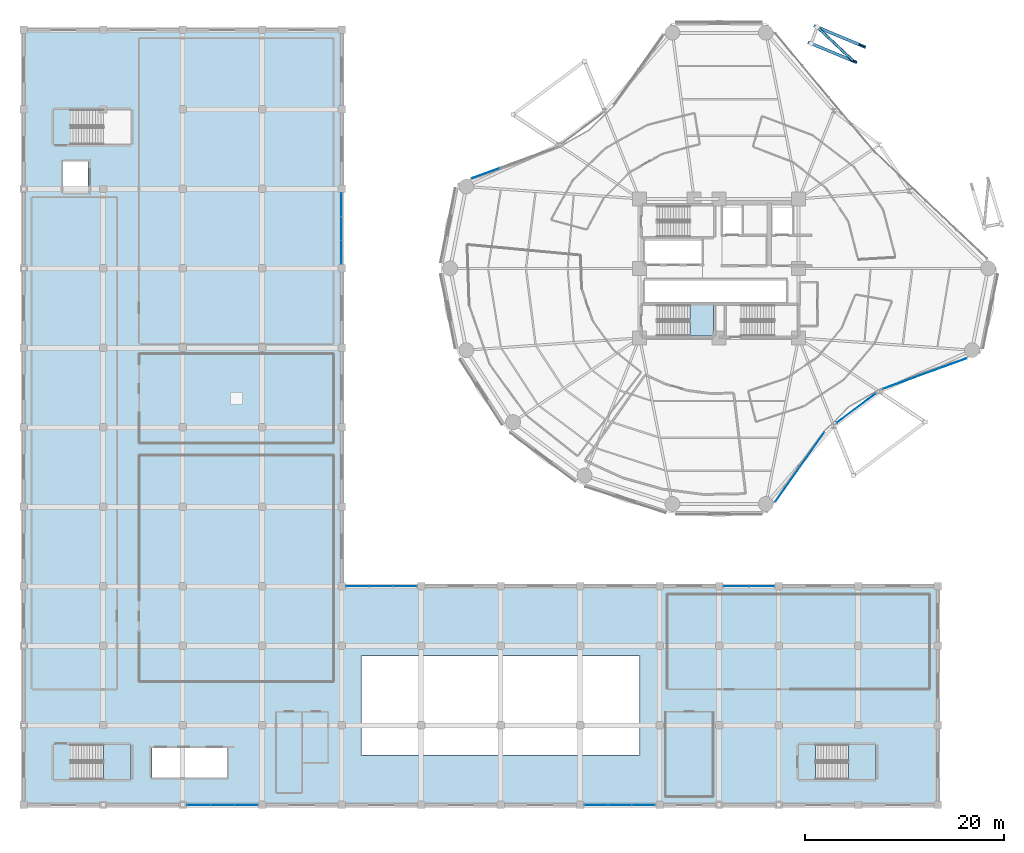
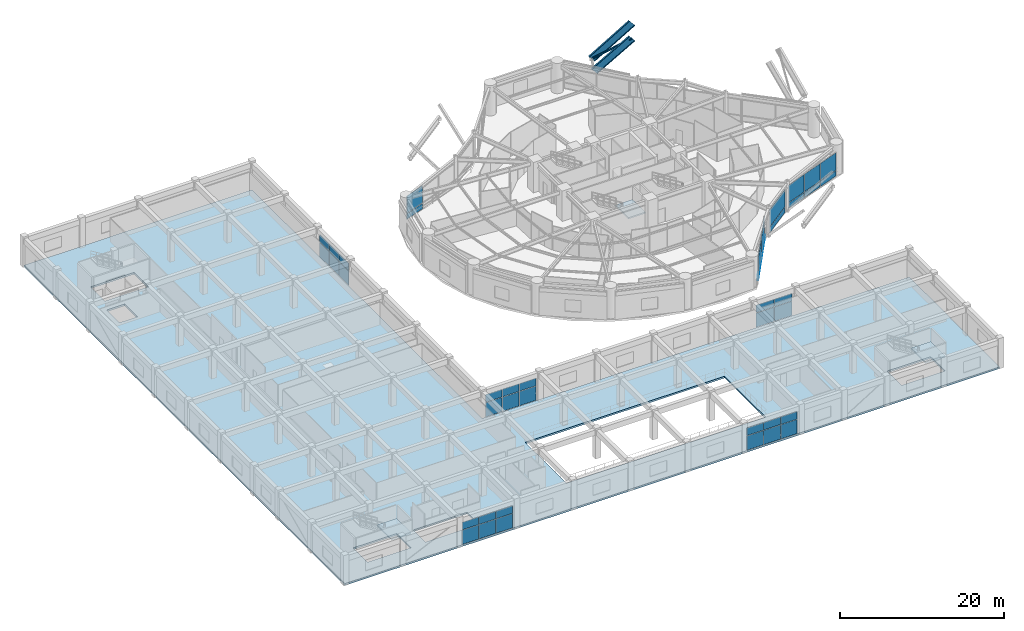
# One storey, part 38 of 55: 42 plates, 4 slabs, 2 beams, 1 member, 12 elements without a shape of their own.
"""IFC4 building model written with IfcOpenShell, lengths in metres."""

from ifc_helpers import new_model, si_unit, direction, frame, origin, origin_2d, place, context, subcontext, project, spatial, polyline, rectangle, hollow_circle, i_section, outline, extrude, source, transform, mapped, material, layer, layer_set, material_profile, profile_set, type_object, element, aggregate, save


model = new_model("IFC4")

# Units and contexts
model_context = context("Model", 3, precision=1e-05, world=origin(), true_north=direction((0.0, 1.0)))
body_context = subcontext(model_context, "Body", "Model", "MODEL_VIEW")
ifc_project = project(units=[si_unit("LENGTHUNIT", "METRE"), si_unit("AREAUNIT", "SQUARE_METRE"), si_unit("VOLUMEUNIT", "CUBIC_METRE"), si_unit("PLANEANGLEUNIT", "RADIAN"), si_unit("MASSUNIT", "GRAM", prefix="KILO")], contexts=[model_context])

# Site, building, storey
site_placement = place(None, origin())
site = spatial("IfcSite", under=ifc_project, at=site_placement, CompositionType="ELEMENT")
building_placement = place(site_placement, origin())
building = spatial("IfcBuilding", under=site, at=building_placement, Name="Kelanora Arch Commons", CompositionType="ELEMENT")
storey_placement = place(building_placement, frame((0.0, 0.0, 4.5)))
storey = spatial("IfcBuildingStorey", under=building, at=storey_placement, Name="L01", CompositionType="ELEMENT", Elevation=4.5)

# Beams
ifc_material_1 = material(Name="Steel S355", Category="steel")
ifc_material_profile_1 = material_profile(ifc_material_1, i_section(OverallWidth=0.302001953125, OverallDepth=1.008056640625, WebThickness=0.02099609375, FlangeThickness=0.0400390625, FilletRadius=0.030029296875, at=origin_2d()), Name="HEM1000")
ifc_profile_set_1 = profile_set([ifc_material_profile_1], Name="Steel S355")
beam_type = type_object("IfcBeamType", Name="BM-ARCH-RIB", PredefinedType="USERDEFINED", material=ifc_profile_set_1)
beam_1_placement = place(storey_placement, frame((87.5400390625, 78.85400390625, 6.35009765625), z_axis=(-0.666991231527, 0.276533201909, -0.691846865504), x_axis=(-0.382986496653, -0.923753940929, 0.0)))
element("IfcBeam", 1, at=beam_1_placement, inside=storey, type_object=beam_type, Name="Parabolic Giant Arch Inner Rib 07", ObjectType="ARCH_RIB", PredefinedType="USERDEFINED", context=body_context, shape_type="SweptSolid", body=[
    extrude(i_section(OverallWidth=0.302001953125, OverallDepth=1.008056640625, WebThickness=0.02099609375, FlangeThickness=0.0400390625, FilletRadius=0.030029296875, at=origin_2d()), origin(), (0.0, 0.0, 1.0), 6.4140625),
])
beam_2_placement = place(storey_placement, frame((88.425048828125, 80.38671875, 7.39990234375), z_axis=(-0.656735503057, 0.274387322505, -0.702431545613), x_axis=(-0.38551010671, -0.922703613098, 0.0)))
element("IfcBeam", 2, at=beam_2_placement, inside=storey, type_object=beam_type, Name="Parabolic Giant Arch Outer Rib 07", ObjectType="ARCH_RIB", PredefinedType="USERDEFINED", context=body_context, shape_type="SweptSolid", body=[
    extrude(i_section(OverallWidth=0.302001953125, OverallDepth=1.008056640625, WebThickness=0.02099609375, FlangeThickness=0.0400390625, FilletRadius=0.030029296875, at=origin_2d()), origin(), (0.0, 0.0, 1.0), 6.940185546875),
])

# Member
ifc_material_profile_2 = material_profile(ifc_material_1, hollow_circle(Radius=0.136474609375, WallThickness=0.012451171875, at=origin_2d()), Name="CHS273x12.5")
ifc_profile_set_2 = profile_set([ifc_material_profile_2], Name="Steel S355")
member_type = type_object("IfcMemberType", Name="MEM-MKT-BRACE", PredefinedType="BRACE", material=ifc_profile_set_2)
member_placement = place(storey_placement, frame((87.5400390625, 78.85400390625, 6.35009765625), z_axis=(-0.581201186899, 0.543881302125, -0.60530844166), x_axis=(-0.683275683066, -0.730160489845, 0.0)))
element("IfcMember", 3, at=member_placement, inside=storey, type_object=member_type, Name="Giant Arch Spatial Diagonal Lacing 07", PredefinedType="BRACE", context=body_context, shape_type="SweptSolid", body=[
    extrude(hollow_circle(Radius=0.136474609375, WallThickness=0.012451171875, at=origin_2d()), origin(), (0.0, 0.0, 1.0), 6.3193359375),
])

# Slab
ifc_material_2 = material(Name="Concrete C40/50", Category="concrete")
ifc_layer_1 = layer(ifc_material_2, 0.260009765625)
ifc_layer_set_1 = layer_set([ifc_layer_1], Name="Concrete C40/50")
slab_type_1 = type_object("IfcSlabType", Name="SLB-MKT-SUSP", PredefinedType="FLOOR", material=ifc_layer_set_1)
slab_1_placement = place(storey_placement, frame((0.0, 0.0, -0.260009765625)))
element("IfcSlab", 4, at=slab_1_placement, inside=storey, type_object=slab_type_1, Name="Market Hall Floor Slab L01", PredefinedType="FLOOR", context=body_context, shape_type="SweptSolid", body=[
    extrude(outline(polyline([(4.0, 4.0), (96.0, 4.0), (96.0, 26.0), (36.0, 26.0), (36.0, 82.0), (4.0, 82.0), (4.0, 4.0)]), holes=[polyline([(24.449951171875, 6.75), (16.89990234375, 6.75), (16.89990234375, 9.699951171875), (24.449951171875, 9.699951171875), (24.449951171875, 6.75)]), polyline([(8.68798828125, 6.568115234375), (8.68798828125, 10.06201171875), (14.7919921875, 10.06201171875), (14.7919921875, 6.568115234375), (8.68798828125, 6.568115234375)]), polyline([(83.68798828125, 6.568115234375), (83.68798828125, 10.06201171875), (89.7919921875, 10.06201171875), (89.7919921875, 6.568115234375), (83.68798828125, 6.568115234375)]), polyline([(66.0, 9.0), (38.0, 9.0), (38.0, 19.0), (66.0, 19.0), (66.0, 9.0)]), polyline([(7.949951171875, 65.64990234375), (7.949951171875, 68.75), (10.449951171875, 68.75), (10.449951171875, 65.64990234375), (7.949951171875, 65.64990234375)]), polyline([(8.68798828125, 70.488037109375), (8.68798828125, 73.98193359375), (14.7919921875, 73.98193359375), (14.7919921875, 70.488037109375), (8.68798828125, 70.488037109375)])]), origin(), (0.0, 0.0, 1.0), 0.260009765625),
])

# Stair, slab
stair_type = type_object("IfcStairType", Name="STR-DL-450", PredefinedType="HALF_TURN_STAIR", material=ifc_material_2)
stair_1_placement = place(storey_placement, origin())
stair_1 = element("IfcStair", 5, at=stair_1_placement, inside=storey, type_object=stair_type, Name="L01 ST-T3", PredefinedType="HALF_TURN_STAIR")
ifc_layer_2 = layer(ifc_material_2, 0.199951171875)
ifc_layer_set_2 = layer_set([ifc_layer_2], Name="Concrete C40/50")
slab_type_2 = type_object("IfcSlabType", Name="SLB-STAIR-LND", PredefinedType="LANDING", material=ifc_layer_set_2)
slab_2_placement = place(storey_placement, frame((0.0, 0.0, 2.050048828125)))
slab_2 = element("IfcSlab", 6, at=slab_2_placement, type_object=slab_type_2, Name="ST-T3 landing 1", PredefinedType="LANDING", context=body_context, shape_type="SweptSolid", body=[
    extrude(outline(polyline([(71.080078125, 51.179931640625), (73.43994140625, 51.179931640625), (73.43994140625, 54.2900390625), (71.080078125, 54.2900390625), (71.080078125, 51.179931640625)])), origin(), (0.0, 0.0, 1.0), 0.199951171875),
])
aggregate(stair_1, [slab_2])

stair_2_placement = place(storey_placement, origin())
stair_2 = element("IfcStair", 7, at=stair_2_placement, inside=storey, type_object=stair_type, Name="L01 ST-M1", PredefinedType="HALF_TURN_STAIR")
slab_3_placement = place(storey_placement, frame((0.0, 0.0, 2.050048828125)))
slab_3 = element("IfcSlab", 8, at=slab_3_placement, type_object=slab_type_2, Name="ST-M1 landing 1", PredefinedType="LANDING", context=body_context, shape_type="SweptSolid", body=[
    extrude(outline(polyline([(12.0400390625, 6.56005859375), (14.800048828125, 6.56005859375), (14.800048828125, 10.070068359375), (12.0400390625, 10.070068359375), (12.0400390625, 6.56005859375)])), origin(), (0.0, 0.0, 1.0), 0.199951171875),
])
aggregate(stair_2, [slab_3])

stair_3_placement = place(storey_placement, origin())
stair_3 = element("IfcStair", 9, at=stair_3_placement, inside=storey, type_object=stair_type, Name="L01 ST-M2", PredefinedType="HALF_TURN_STAIR")
slab_4_placement = place(storey_placement, frame((0.0, 0.0, 2.050048828125)))
slab_4 = element("IfcSlab", 10, at=slab_4_placement, type_object=slab_type_2, Name="ST-M2 landing 1", PredefinedType="LANDING", context=body_context, shape_type="SweptSolid", body=[
    extrude(outline(polyline([(87.0400390625, 6.56005859375), (89.800048828125, 6.56005859375), (89.800048828125, 10.070068359375), (87.0400390625, 10.070068359375), (87.0400390625, 6.56005859375)])), origin(), (0.0, 0.0, 1.0), 0.199951171875),
])
aggregate(stair_3, [slab_4])

# Curtain wall, plates
ifc_material_3 = material(Name="Terracotta ceramic-fritted low-E glass and aluminium", Category="masonry")
ifc_layer_3 = layer(ifc_material_3, 0.2099609375)
ifc_layer_set_3 = layer_set([ifc_layer_3], Name="Terracotta ceramic-fritted low-E glass and aluminium")
curtain_wall_type_1 = type_object("IfcCurtainWallType", Name="CW-SYS-04", PredefinedType="NOTDEFINED", material=ifc_layer_set_3)
curtain_wall_1_placement = place(storey_placement, origin())
curtain_wall_1 = element("IfcCurtainWall", 11, at=curtain_wall_1_placement, inside=storey, type_object=curtain_wall_type_1, Name="Unitised Curtain Wall L01-B15", PredefinedType="NOTDEFINED")
ifc_material_4 = material(Name="Clear laminated solar-control double glazing", Category="glass")
ifc_layer_4 = layer(ifc_material_4, 0.033935546875)
ifc_layer_set_4 = layer_set([ifc_layer_4], Name="Clear laminated solar-control double glazing")
plate_type = type_object("IfcPlateType", Name="CWP-CLR", PredefinedType="CURTAIN_PANEL", material=ifc_layer_set_4)
shared_shape_1 = source(origin(), body_context, "Body", "SweptSolid", [
    extrude(rectangle(XDim=4.849609375, YDim=0.033935546875, at=origin_2d()), origin(), (0.0, 0.0, 1.0), 0.81005859375),
])
plate_1_placement = place(storey_placement, frame((87.79541015625, 43.930419921875, 0.06005859375), z_axis=(0.0, 0.0, 1.0), x_axis=(0.80030897426, 0.599587813185, 0.0)))
plate_1 = element("IfcPlate", 12, at=plate_1_placement, type_object=plate_type, Name="CW-04 panel 1.1", PredefinedType="CURTAIN_PANEL", context=body_context, shape_type="MappedRepresentation", body=[
    mapped(shared_shape_1, transform((0.0, 0.0, 0.0), scale=1.0)),
])
shared_shape_2 = source(origin(), body_context, "Body", "SweptSolid", [
    extrude(rectangle(XDim=4.849609375, YDim=0.033935546875, at=origin_2d()), origin(), (0.0, 0.0, 1.0), 2.590087890625),
])
plate_2_placement = place(storey_placement, frame((87.79541015625, 43.930419921875, 0.93017578125), z_axis=(0.0, 0.0, 1.0), x_axis=(0.80030897426, 0.599587813185, 0.0)))
plate_2 = element("IfcPlate", 13, at=plate_2_placement, type_object=plate_type, Name="CW-04 panel 1.2", PredefinedType="CURTAIN_PANEL", context=body_context, shape_type="MappedRepresentation", body=[
    mapped(shared_shape_2, transform((0.0, 0.0, 0.0), scale=1.0)),
])
aggregate(curtain_wall_1, [plate_1, plate_2])

curtain_wall_2_placement = place(storey_placement, origin())
curtain_wall_2 = element("IfcCurtainWall", 14, at=curtain_wall_2_placement, inside=storey, type_object=curtain_wall_type_1, Name="Unitised Curtain Wall L01-B14", PredefinedType="NOTDEFINED")
shared_shape_3 = source(origin(), body_context, "Body", "SweptSolid", [
    extrude(rectangle(XDim=4.241455078125, YDim=0.033935546875, at=origin_2d()), origin(), (0.0, 0.0, 1.0), 0.81005859375),
])
plate_3_placement = place(storey_placement, frame((80.886474609375, 36.250244140625, 0.06005859375), z_axis=(0.0, 0.0, 1.0), x_axis=(0.576345499922, 0.817206133555, 0.0)))
plate_3 = element("IfcPlate", 15, at=plate_3_placement, type_object=plate_type, Name="CW-04 panel 1.1", PredefinedType="CURTAIN_PANEL", context=body_context, shape_type="MappedRepresentation", body=[
    mapped(shared_shape_3, transform((0.0, 0.0, 0.0), scale=1.0)),
])
plate_4_placement = place(storey_placement, frame((83.365478515625, 39.76513671875, 0.06005859375), z_axis=(0.0, 0.0, 1.0), x_axis=(0.576345499922, 0.817206133555, 0.0)))
plate_4 = element("IfcPlate", 16, at=plate_4_placement, type_object=plate_type, Name="CW-04 panel 2.1", PredefinedType="CURTAIN_PANEL", context=body_context, shape_type="MappedRepresentation", body=[
    mapped(shared_shape_3, transform((0.0, 0.0, 0.0), scale=1.0)),
])
shared_shape_4 = source(origin(), body_context, "Body", "SweptSolid", [
    extrude(rectangle(XDim=4.241455078125, YDim=0.033935546875, at=origin_2d()), origin(), (0.0, 0.0, 1.0), 2.590087890625),
])
plate_5_placement = place(storey_placement, frame((80.886474609375, 36.250244140625, 0.93017578125), z_axis=(0.0, 0.0, 1.0), x_axis=(0.576345499922, 0.817206133555, 0.0)))
plate_5 = element("IfcPlate", 17, at=plate_5_placement, type_object=plate_type, Name="CW-04 panel 1.2", PredefinedType="CURTAIN_PANEL", context=body_context, shape_type="MappedRepresentation", body=[
    mapped(shared_shape_4, transform((0.0, 0.0, 0.0), scale=1.0)),
])
plate_6_placement = place(storey_placement, frame((83.365478515625, 39.76513671875, 0.93017578125), z_axis=(0.0, 0.0, 1.0), x_axis=(0.576345499922, 0.817206133555, 0.0)))
plate_6 = element("IfcPlate", 18, at=plate_6_placement, type_object=plate_type, Name="CW-04 panel 2.2", PredefinedType="CURTAIN_PANEL", context=body_context, shape_type="MappedRepresentation", body=[
    mapped(shared_shape_4, transform((0.0, 0.0, 0.0), scale=1.0)),
])
aggregate(curtain_wall_2, [plate_3, plate_5, plate_4, plate_6])

# Curtain wall, plate
curtain_wall_3_placement = place(storey_placement, origin())
curtain_wall_3 = element("IfcCurtainWall", 19, at=curtain_wall_3_placement, inside=storey, type_object=curtain_wall_type_1, Name="Unitised Curtain Wall L01-B07", PredefinedType="NOTDEFINED")
shared_shape_5 = source(origin(), body_context, "Body", "SweptSolid", [
    extrude(rectangle(XDim=2.9296875, YDim=0.033935546875, at=origin_2d()), origin(), (0.0, 0.0, 1.0), 0.81005859375),
])
plate_7_placement = place(storey_placement, frame((50.4755859375, 67.56591796875, 0.06005859375), z_axis=(0.0, 0.0, 1.0), x_axis=(-0.939584077951, -0.342318215206, 0.0)))
plate_7 = element("IfcPlate", 20, at=plate_7_placement, type_object=plate_type, Name="CW-04 panel 3.1", PredefinedType="CURTAIN_PANEL", context=body_context, shape_type="MappedRepresentation", body=[
    mapped(shared_shape_5, transform((0.0, 0.0, 0.0), scale=1.0)),
])

# Curtain wall, plates
curtain_wall_4_placement = place(storey_placement, origin())
curtain_wall_4 = element("IfcCurtainWall", 21, at=curtain_wall_4_placement, inside=storey, type_object=curtain_wall_type_1, Name="Unitised Curtain Wall L01-B16", PredefinedType="NOTDEFINED")
plate_8_placement = place(storey_placement, frame((91.8779296875, 46.376953125, 0.06005859375), z_axis=(0.0, 0.0, 1.0), x_axis=(0.939584077951, 0.342318215206, 0.0)))
plate_8 = element("IfcPlate", 22, at=plate_8_placement, type_object=plate_type, Name="CW-04 panel 1.1", PredefinedType="CURTAIN_PANEL", context=body_context, shape_type="MappedRepresentation", body=[
    mapped(shared_shape_5, transform((0.0, 0.0, 0.0), scale=1.0)),
])
plate_9_placement = place(storey_placement, frame((97.5244140625, 48.43408203125, 0.06005859375), z_axis=(0.0, 0.0, 1.0), x_axis=(0.939584077951, 0.342318215206, 0.0)))
plate_9 = element("IfcPlate", 23, at=plate_9_placement, type_object=plate_type, Name="CW-04 panel 3.1", PredefinedType="CURTAIN_PANEL", context=body_context, shape_type="MappedRepresentation", body=[
    mapped(shared_shape_5, transform((0.0, 0.0, 0.0), scale=1.0)),
])

# Plate
shared_shape_6 = source(origin(), body_context, "Body", "SweptSolid", [
    extrude(rectangle(XDim=2.9296875, YDim=0.033935546875, at=origin_2d()), origin(), (0.0, 0.0, 1.0), 2.590087890625),
])
plate_10_placement = place(storey_placement, frame((50.4755859375, 67.56591796875, 0.93017578125), z_axis=(0.0, 0.0, 1.0), x_axis=(-0.939584077951, -0.342318215206, 0.0)))
plate_10 = element("IfcPlate", 24, at=plate_10_placement, type_object=plate_type, Name="CW-04 panel 3.2", PredefinedType="CURTAIN_PANEL", context=body_context, shape_type="MappedRepresentation", body=[
    mapped(shared_shape_6, transform((0.0, 0.0, 0.0), scale=1.0)),
])

aggregate(curtain_wall_3, [plate_7, plate_10])

plate_11_placement = place(storey_placement, frame((91.8779296875, 46.376953125, 0.93017578125), z_axis=(0.0, 0.0, 1.0), x_axis=(0.939584077951, 0.342318215206, 0.0)))
plate_11 = element("IfcPlate", 25, at=plate_11_placement, type_object=plate_type, Name="CW-04 panel 1.2", PredefinedType="CURTAIN_PANEL", context=body_context, shape_type="MappedRepresentation", body=[
    mapped(shared_shape_6, transform((0.0, 0.0, 0.0), scale=1.0)),
])

plate_12_placement = place(storey_placement, frame((97.5244140625, 48.43408203125, 0.93017578125), z_axis=(0.0, 0.0, 1.0), x_axis=(0.939584077951, 0.342318215206, 0.0)))
plate_12 = element("IfcPlate", 26, at=plate_12_placement, type_object=plate_type, Name="CW-04 panel 3.2", PredefinedType="CURTAIN_PANEL", context=body_context, shape_type="MappedRepresentation", body=[
    mapped(shared_shape_6, transform((0.0, 0.0, 0.0), scale=1.0)),
])

shared_shape_7 = source(origin(), body_context, "Body", "SweptSolid", [
    extrude(rectangle(XDim=2.959716796875, YDim=0.033935546875, at=origin_2d()), origin(), (0.0, 0.0, 1.0), 0.81005859375),
])
plate_13_placement = place(storey_placement, frame((94.701171875, 47.405517578125, 0.06005859375), z_axis=(0.0, 0.0, 1.0), x_axis=(0.939584077951, 0.342318215206, 0.0)))
plate_13 = element("IfcPlate", 27, at=plate_13_placement, type_object=plate_type, Name="CW-04 panel 2.1", PredefinedType="CURTAIN_PANEL", context=body_context, shape_type="MappedRepresentation", body=[
    mapped(shared_shape_7, transform((0.0, 0.0, 0.0), scale=1.0)),
])

shared_shape_8 = source(origin(), body_context, "Body", "SweptSolid", [
    extrude(rectangle(XDim=2.959716796875, YDim=0.033935546875, at=origin_2d()), origin(), (0.0, 0.0, 1.0), 2.590087890625),
])
plate_14_placement = place(storey_placement, frame((94.701171875, 47.405517578125, 0.93017578125), z_axis=(0.0, 0.0, 1.0), x_axis=(0.939584077951, 0.342318215206, 0.0)))
plate_14 = element("IfcPlate", 28, at=plate_14_placement, type_object=plate_type, Name="CW-04 panel 2.2", PredefinedType="CURTAIN_PANEL", context=body_context, shape_type="MappedRepresentation", body=[
    mapped(shared_shape_8, transform((0.0, 0.0, 0.0), scale=1.0)),
])

aggregate(curtain_wall_4, [plate_8, plate_11, plate_13, plate_14, plate_9, plate_12])

# Curtain wall, plates
ifc_layer_5 = layer(ifc_material_3, 0.16796875)
ifc_layer_set_5 = layer_set([ifc_layer_5], Name="Terracotta ceramic-fritted low-E glass and aluminium")
curtain_wall_type_2 = type_object("IfcCurtainWallType", Name="CW-SYS-07", PredefinedType="NOTDEFINED", material=ifc_layer_set_5)
curtain_wall_5_placement = place(storey_placement, origin())
curtain_wall_5 = element("IfcCurtainWall", 29, at=curtain_wall_5_placement, inside=storey, type_object=curtain_wall_type_2, Name="Market Hall Arcade Curtain Wall L01-02", PredefinedType="NOTDEFINED")
shared_shape_9 = source(origin(), body_context, "Body", "SweptSolid", [
    extrude(rectangle(XDim=2.31005859375, YDim=0.033935546875, at=origin_2d()), origin(), (0.0, 0.0, 1.0), 2.110107421875),
])
plate_15_placement = place(storey_placement, frame((21.614990234375, 4.0, 0.06005859375), z_axis=(0.0, 0.0, 1.0), x_axis=(1.0, 0.0, 0.0)))
plate_15 = element("IfcPlate", 30, at=plate_15_placement, type_object=plate_type, Name="CW-07 panel 1.1", PredefinedType="CURTAIN_PANEL", context=body_context, shape_type="MappedRepresentation", body=[
    mapped(shared_shape_9, transform((0.0, 0.0, 0.0), scale=1.0)),
])
plate_16_placement = place(storey_placement, frame((26.385009765625, 4.0, 0.06005859375), z_axis=(0.0, 0.0, 1.0), x_axis=(1.0, 0.0, 0.0)))
plate_16 = element("IfcPlate", 31, at=plate_16_placement, type_object=plate_type, Name="CW-07 panel 3.1", PredefinedType="CURTAIN_PANEL", context=body_context, shape_type="MappedRepresentation", body=[
    mapped(shared_shape_9, transform((0.0, 0.0, 0.0), scale=1.0)),
])

curtain_wall_6_placement = place(storey_placement, origin())
curtain_wall_6 = element("IfcCurtainWall", 32, at=curtain_wall_6_placement, inside=storey, type_object=curtain_wall_type_2, Name="Market Hall Arcade Curtain Wall L01-07", PredefinedType="NOTDEFINED")
plate_17_placement = place(storey_placement, frame((61.614990234375, 4.0, 0.06005859375), z_axis=(0.0, 0.0, 1.0), x_axis=(1.0, 0.0, 0.0)))
plate_17 = element("IfcPlate", 33, at=plate_17_placement, type_object=plate_type, Name="CW-07 panel 1.1", PredefinedType="CURTAIN_PANEL", context=body_context, shape_type="MappedRepresentation", body=[
    mapped(shared_shape_9, transform((0.0, 0.0, 0.0), scale=1.0)),
])
plate_18_placement = place(storey_placement, frame((66.385009765625, 4.0, 0.06005859375), z_axis=(0.0, 0.0, 1.0), x_axis=(1.0, 0.0, 0.0)))
plate_18 = element("IfcPlate", 34, at=plate_18_placement, type_object=plate_type, Name="CW-07 panel 3.1", PredefinedType="CURTAIN_PANEL", context=body_context, shape_type="MappedRepresentation", body=[
    mapped(shared_shape_9, transform((0.0, 0.0, 0.0), scale=1.0)),
])

curtain_wall_7_placement = place(storey_placement, origin())
curtain_wall_7 = element("IfcCurtainWall", 35, at=curtain_wall_7_placement, inside=storey, type_object=curtain_wall_type_2, Name="Market Hall Arcade Curtain Wall L01-22", PredefinedType="NOTDEFINED")
plate_19_placement = place(storey_placement, frame((42.385009765625, 26.0, 0.06005859375), z_axis=(0.0, 0.0, 1.0), x_axis=(-1.0, 0.0, 0.0)))
plate_19 = element("IfcPlate", 36, at=plate_19_placement, type_object=plate_type, Name="CW-07 panel 1.1", PredefinedType="CURTAIN_PANEL", context=body_context, shape_type="MappedRepresentation", body=[
    mapped(shared_shape_9, transform((0.0, 0.0, 0.0), scale=1.0)),
])
plate_20_placement = place(storey_placement, frame((37.614990234375, 26.0, 0.06005859375), z_axis=(0.0, 0.0, 1.0), x_axis=(-1.0, 0.0, 0.0)))
plate_20 = element("IfcPlate", 37, at=plate_20_placement, type_object=plate_type, Name="CW-07 panel 3.1", PredefinedType="CURTAIN_PANEL", context=body_context, shape_type="MappedRepresentation", body=[
    mapped(shared_shape_9, transform((0.0, 0.0, 0.0), scale=1.0)),
])

curtain_wall_8_placement = place(storey_placement, origin())
curtain_wall_8 = element("IfcCurtainWall", 38, at=curtain_wall_8_placement, inside=storey, type_object=curtain_wall_type_2, Name="Market Hall Arcade Curtain Wall L01-27", PredefinedType="NOTDEFINED")
plate_21_placement = place(storey_placement, frame((36.0, 59.614990234375, 0.06005859375), z_axis=(0.0, 0.0, 1.0), x_axis=(0.0, 1.0, 0.0)))
plate_21 = element("IfcPlate", 39, at=plate_21_placement, type_object=plate_type, Name="CW-07 panel 1.1", PredefinedType="CURTAIN_PANEL", context=body_context, shape_type="MappedRepresentation", body=[
    mapped(shared_shape_9, transform((0.0, 0.0, 0.0), scale=1.0)),
])
plate_22_placement = place(storey_placement, frame((36.0, 64.385009765625, 0.06005859375), z_axis=(0.0, 0.0, 1.0), x_axis=(0.0, 1.0, 0.0)))
plate_22 = element("IfcPlate", 40, at=plate_22_placement, type_object=plate_type, Name="CW-07 panel 3.1", PredefinedType="CURTAIN_PANEL", context=body_context, shape_type="MappedRepresentation", body=[
    mapped(shared_shape_9, transform((0.0, 0.0, 0.0), scale=1.0)),
])

# Plate
shared_shape_10 = source(origin(), body_context, "Body", "SweptSolid", [
    extrude(rectangle(XDim=2.31005859375, YDim=0.033935546875, at=origin_2d()), origin(), (0.0, 0.0, 1.0), 1.1298828125),
])
plate_23_placement = place(storey_placement, frame((21.614990234375, 4.0, 2.22998046875), z_axis=(0.0, 0.0, 1.0), x_axis=(1.0, 0.0, 0.0)))
plate_23 = element("IfcPlate", 41, at=plate_23_placement, type_object=plate_type, Name="CW-07 panel 1.2", PredefinedType="CURTAIN_PANEL", context=body_context, shape_type="MappedRepresentation", body=[
    mapped(shared_shape_10, transform((0.0, 0.0, 0.0), scale=1.0)),
])

plate_24_placement = place(storey_placement, frame((26.385009765625, 4.0, 2.22998046875), z_axis=(0.0, 0.0, 1.0), x_axis=(1.0, 0.0, 0.0)))
plate_24 = element("IfcPlate", 42, at=plate_24_placement, type_object=plate_type, Name="CW-07 panel 3.2", PredefinedType="CURTAIN_PANEL", context=body_context, shape_type="MappedRepresentation", body=[
    mapped(shared_shape_10, transform((0.0, 0.0, 0.0), scale=1.0)),
])

plate_25_placement = place(storey_placement, frame((61.614990234375, 4.0, 2.22998046875), z_axis=(0.0, 0.0, 1.0), x_axis=(1.0, 0.0, 0.0)))
plate_25 = element("IfcPlate", 43, at=plate_25_placement, type_object=plate_type, Name="CW-07 panel 1.2", PredefinedType="CURTAIN_PANEL", context=body_context, shape_type="MappedRepresentation", body=[
    mapped(shared_shape_10, transform((0.0, 0.0, 0.0), scale=1.0)),
])

plate_26_placement = place(storey_placement, frame((66.385009765625, 4.0, 2.22998046875), z_axis=(0.0, 0.0, 1.0), x_axis=(1.0, 0.0, 0.0)))
plate_26 = element("IfcPlate", 44, at=plate_26_placement, type_object=plate_type, Name="CW-07 panel 3.2", PredefinedType="CURTAIN_PANEL", context=body_context, shape_type="MappedRepresentation", body=[
    mapped(shared_shape_10, transform((0.0, 0.0, 0.0), scale=1.0)),
])

plate_27_placement = place(storey_placement, frame((42.385009765625, 26.0, 2.22998046875), z_axis=(0.0, 0.0, 1.0), x_axis=(-1.0, 0.0, 0.0)))
plate_27 = element("IfcPlate", 45, at=plate_27_placement, type_object=plate_type, Name="CW-07 panel 1.2", PredefinedType="CURTAIN_PANEL", context=body_context, shape_type="MappedRepresentation", body=[
    mapped(shared_shape_10, transform((0.0, 0.0, 0.0), scale=1.0)),
])

plate_28_placement = place(storey_placement, frame((37.614990234375, 26.0, 2.22998046875), z_axis=(0.0, 0.0, 1.0), x_axis=(-1.0, 0.0, 0.0)))
plate_28 = element("IfcPlate", 46, at=plate_28_placement, type_object=plate_type, Name="CW-07 panel 3.2", PredefinedType="CURTAIN_PANEL", context=body_context, shape_type="MappedRepresentation", body=[
    mapped(shared_shape_10, transform((0.0, 0.0, 0.0), scale=1.0)),
])

plate_29_placement = place(storey_placement, frame((36.0, 59.614990234375, 2.22998046875), z_axis=(0.0, 0.0, 1.0), x_axis=(0.0, 1.0, 0.0)))
plate_29 = element("IfcPlate", 47, at=plate_29_placement, type_object=plate_type, Name="CW-07 panel 1.2", PredefinedType="CURTAIN_PANEL", context=body_context, shape_type="MappedRepresentation", body=[
    mapped(shared_shape_10, transform((0.0, 0.0, 0.0), scale=1.0)),
])

plate_30_placement = place(storey_placement, frame((36.0, 64.385009765625, 2.22998046875), z_axis=(0.0, 0.0, 1.0), x_axis=(0.0, 1.0, 0.0)))
plate_30 = element("IfcPlate", 48, at=plate_30_placement, type_object=plate_type, Name="CW-07 panel 3.2", PredefinedType="CURTAIN_PANEL", context=body_context, shape_type="MappedRepresentation", body=[
    mapped(shared_shape_10, transform((0.0, 0.0, 0.0), scale=1.0)),
])

shared_shape_11 = source(origin(), body_context, "Body", "SweptSolid", [
    extrude(rectangle(XDim=2.340087890625, YDim=0.033935546875, at=origin_2d()), origin(), (0.0, 0.0, 1.0), 2.110107421875),
])
plate_31_placement = place(storey_placement, frame((24.0, 4.0, 0.06005859375), z_axis=(0.0, 0.0, 1.0), x_axis=(1.0, 0.0, 0.0)))
plate_31 = element("IfcPlate", 49, at=plate_31_placement, type_object=plate_type, Name="CW-07 panel 2.1", PredefinedType="CURTAIN_PANEL", context=body_context, shape_type="MappedRepresentation", body=[
    mapped(shared_shape_11, transform((0.0, 0.0, 0.0), scale=1.0)),
])

plate_32_placement = place(storey_placement, frame((64.0, 4.0, 0.06005859375), z_axis=(0.0, 0.0, 1.0), x_axis=(1.0, 0.0, 0.0)))
plate_32 = element("IfcPlate", 50, at=plate_32_placement, type_object=plate_type, Name="CW-07 panel 2.1", PredefinedType="CURTAIN_PANEL", context=body_context, shape_type="MappedRepresentation", body=[
    mapped(shared_shape_11, transform((0.0, 0.0, 0.0), scale=1.0)),
])

plate_33_placement = place(storey_placement, frame((40.0, 26.0, 0.06005859375), z_axis=(0.0, 0.0, 1.0), x_axis=(-1.0, 0.0, 0.0)))
plate_33 = element("IfcPlate", 51, at=plate_33_placement, type_object=plate_type, Name="CW-07 panel 2.1", PredefinedType="CURTAIN_PANEL", context=body_context, shape_type="MappedRepresentation", body=[
    mapped(shared_shape_11, transform((0.0, 0.0, 0.0), scale=1.0)),
])

plate_34_placement = place(storey_placement, frame((36.0, 62.0, 0.06005859375), z_axis=(0.0, 0.0, 1.0), x_axis=(0.0, 1.0, 0.0)))
plate_34 = element("IfcPlate", 52, at=plate_34_placement, type_object=plate_type, Name="CW-07 panel 2.1", PredefinedType="CURTAIN_PANEL", context=body_context, shape_type="MappedRepresentation", body=[
    mapped(shared_shape_11, transform((0.0, 0.0, 0.0), scale=1.0)),
])

shared_shape_12 = source(origin(), body_context, "Body", "SweptSolid", [
    extrude(rectangle(XDim=2.340087890625, YDim=0.033935546875, at=origin_2d()), origin(), (0.0, 0.0, 1.0), 1.1298828125),
])
plate_35_placement = place(storey_placement, frame((24.0, 4.0, 2.22998046875), z_axis=(0.0, 0.0, 1.0), x_axis=(1.0, 0.0, 0.0)))
plate_35 = element("IfcPlate", 53, at=plate_35_placement, type_object=plate_type, Name="CW-07 panel 2.2", PredefinedType="CURTAIN_PANEL", context=body_context, shape_type="MappedRepresentation", body=[
    mapped(shared_shape_12, transform((0.0, 0.0, 0.0), scale=1.0)),
])

aggregate(curtain_wall_5, [plate_15, plate_23, plate_31, plate_35, plate_16, plate_24])

plate_36_placement = place(storey_placement, frame((64.0, 4.0, 2.22998046875), z_axis=(0.0, 0.0, 1.0), x_axis=(1.0, 0.0, 0.0)))
plate_36 = element("IfcPlate", 54, at=plate_36_placement, type_object=plate_type, Name="CW-07 panel 2.2", PredefinedType="CURTAIN_PANEL", context=body_context, shape_type="MappedRepresentation", body=[
    mapped(shared_shape_12, transform((0.0, 0.0, 0.0), scale=1.0)),
])

aggregate(curtain_wall_6, [plate_17, plate_25, plate_32, plate_36, plate_18, plate_26])

plate_37_placement = place(storey_placement, frame((40.0, 26.0, 2.22998046875), z_axis=(0.0, 0.0, 1.0), x_axis=(-1.0, 0.0, 0.0)))
plate_37 = element("IfcPlate", 55, at=plate_37_placement, type_object=plate_type, Name="CW-07 panel 2.2", PredefinedType="CURTAIN_PANEL", context=body_context, shape_type="MappedRepresentation", body=[
    mapped(shared_shape_12, transform((0.0, 0.0, 0.0), scale=1.0)),
])

aggregate(curtain_wall_7, [plate_19, plate_27, plate_33, plate_37, plate_20, plate_28])

plate_38_placement = place(storey_placement, frame((36.0, 62.0, 2.22998046875), z_axis=(0.0, 0.0, 1.0), x_axis=(0.0, 1.0, 0.0)))
plate_38 = element("IfcPlate", 56, at=plate_38_placement, type_object=plate_type, Name="CW-07 panel 2.2", PredefinedType="CURTAIN_PANEL", context=body_context, shape_type="MappedRepresentation", body=[
    mapped(shared_shape_12, transform((0.0, 0.0, 0.0), scale=1.0)),
])

aggregate(curtain_wall_8, [plate_21, plate_29, plate_34, plate_38, plate_22, plate_30])

# Curtain wall, plates
curtain_wall_9_placement = place(storey_placement, origin())
curtain_wall_9 = element("IfcCurtainWall", 57, at=curtain_wall_9_placement, inside=storey, type_object=curtain_wall_type_2, Name="Market Hall Arcade Curtain Wall L01-17", PredefinedType="NOTDEFINED")
shared_shape_13 = source(origin(), body_context, "Body", "SweptSolid", [
    extrude(rectangle(XDim=2.510009765625, YDim=0.033935546875, at=origin_2d()), origin(), (0.0, 0.0, 1.0), 2.110107421875),
])
plate_39_placement = place(storey_placement, frame((78.284912109375, 26.0, 0.06005859375), z_axis=(0.0, 0.0, 1.0), x_axis=(-1.0, 0.0, 0.0)))
plate_39 = element("IfcPlate", 58, at=plate_39_placement, type_object=plate_type, Name="CW-07 panel 1.1", PredefinedType="CURTAIN_PANEL", context=body_context, shape_type="MappedRepresentation", body=[
    mapped(shared_shape_13, transform((0.0, 0.0, 0.0), scale=1.0)),
])
plate_40_placement = place(storey_placement, frame((75.715087890625, 26.0, 0.06005859375), z_axis=(0.0, 0.0, 1.0), x_axis=(-1.0, 0.0, 0.0)))
plate_40 = element("IfcPlate", 59, at=plate_40_placement, type_object=plate_type, Name="CW-07 panel 2.1", PredefinedType="CURTAIN_PANEL", context=body_context, shape_type="MappedRepresentation", body=[
    mapped(shared_shape_13, transform((0.0, 0.0, 0.0), scale=1.0)),
])
shared_shape_14 = source(origin(), body_context, "Body", "SweptSolid", [
    extrude(rectangle(XDim=2.510009765625, YDim=0.033935546875, at=origin_2d()), origin(), (0.0, 0.0, 1.0), 1.1298828125),
])
plate_41_placement = place(storey_placement, frame((78.284912109375, 26.0, 2.22998046875), z_axis=(0.0, 0.0, 1.0), x_axis=(-1.0, 0.0, 0.0)))
plate_41 = element("IfcPlate", 60, at=plate_41_placement, type_object=plate_type, Name="CW-07 panel 1.2", PredefinedType="CURTAIN_PANEL", context=body_context, shape_type="MappedRepresentation", body=[
    mapped(shared_shape_14, transform((0.0, 0.0, 0.0), scale=1.0)),
])
plate_42_placement = place(storey_placement, frame((75.715087890625, 26.0, 2.22998046875), z_axis=(0.0, 0.0, 1.0), x_axis=(-1.0, 0.0, 0.0)))
plate_42 = element("IfcPlate", 61, at=plate_42_placement, type_object=plate_type, Name="CW-07 panel 2.2", PredefinedType="CURTAIN_PANEL", context=body_context, shape_type="MappedRepresentation", body=[
    mapped(shared_shape_14, transform((0.0, 0.0, 0.0), scale=1.0)),
])
aggregate(curtain_wall_9, [plate_39, plate_41, plate_40, plate_42])

save(model, "model.ifc")
